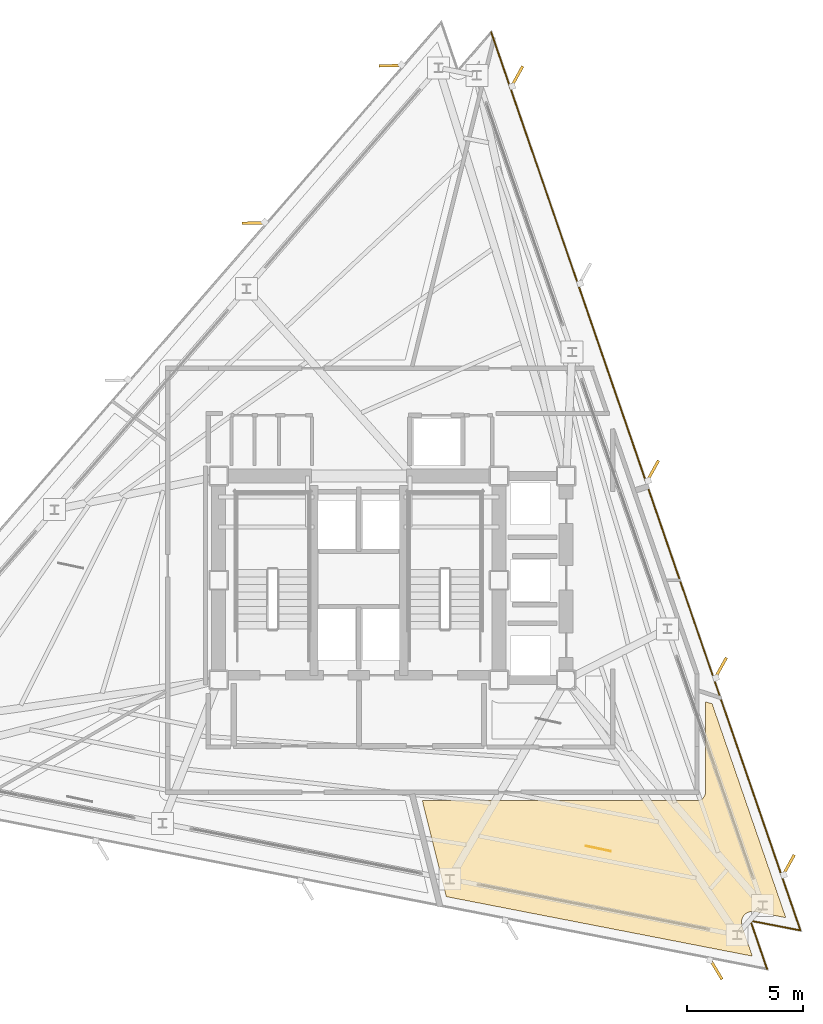
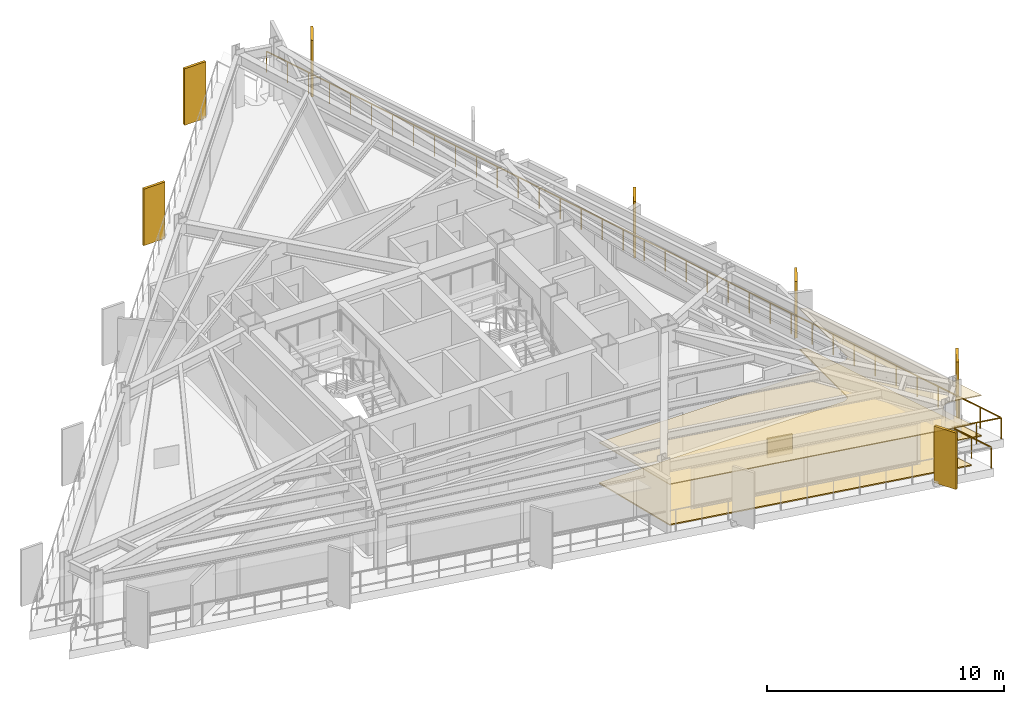
# One storey, part 13 of 13: 7 shading devices, 3 coverings, 1 railing.
"""IFC4 building model written with IfcOpenShell, lengths in metres."""

from ifc_helpers import new_model, si_unit, direction, frame, origin, origin_2d, place, context, subcontext, project, spatial, polyline, rectangle, outline, extrude, material, layer, layer_set, type_object, element, save


model = new_model("IFC4")

# Units and contexts
model_context = context("Model", 3, precision=1e-05, world=origin(), true_north=direction((0.0, 1.0)))
body_context = subcontext(model_context, "Body", "Model", "MODEL_VIEW")
ifc_project = project(units=[si_unit("LENGTHUNIT", "METRE"), si_unit("AREAUNIT", "SQUARE_METRE"), si_unit("VOLUMEUNIT", "CUBIC_METRE"), si_unit("PLANEANGLEUNIT", "RADIAN"), si_unit("MASSUNIT", "GRAM", prefix="KILO")], contexts=[model_context])

# Site, building, storey
site_placement = place(None, origin())
site = spatial("IfcSite", under=ifc_project, at=site_placement, CompositionType="ELEMENT")
building_placement = place(site_placement, origin())
building = spatial("IfcBuilding", under=site, at=building_placement, Name="Rocaltana Carrier Exchange", CompositionType="ELEMENT")
storey_placement = place(building_placement, frame((0.0, 0.0, 147.199951171875)))
storey = spatial("IfcBuildingStorey", under=building, at=storey_placement, Name="L46", CompositionType="ELEMENT", Elevation=147.199951171875)

# Coverings
ifc_material_1 = material(Name="Calcium Sulphate & Aluminium Pedestal", Category="aluminium")
ifc_layer_1 = layer(ifc_material_1, 0.06005859375)
ifc_layer_set_1 = layer_set([ifc_layer_1], Name="Calcium Sulphate & Aluminium Pedestal")
covering_type_1 = type_object("IfcCoveringType", Name="Anti-Static Raised Exchange Access Floor 60", PredefinedType="FLOORING", material=ifc_layer_set_1)
covering_1_placement = place(storey_placement, origin())
element("IfcCovering", 1, at=covering_1_placement, inside=storey, type_object=covering_type_1, Name="L46 Cloud Architecture Office Finish Floor", PredefinedType="FLOORING", context=body_context, shape_type="SweptSolid", body=[
    extrude(outline(polyline([(18.4287109375, -14.562255859375), (17.085205078125, -14.301025390625), (17.0712890625, -14.298828125), (17.051513671875, -14.2958984375), (17.023681640625, -14.29345703125), (17.00390625, -14.29248046875), (16.975830078125, -14.292724609375), (16.9560546875, -14.2939453125), (16.92822265625, -14.296875), (16.90869140625, -14.300048828125), (16.88134765625, -14.305908203125), (16.862060546875, -14.310791015625), (16.83544921875, -14.319091796875), (16.816650390625, -14.326171875), (16.791015625, -14.337158203125), (16.773193359375, -14.345947265625), (16.748779296875, -14.359619140625), (16.731689453125, -14.3701171875), (16.708984375, -14.385986328125), (16.693115234375, -14.398193359375), (16.671875, -14.416259765625), (16.6572265625, -14.429931640625), (16.637939453125, -14.449951171875), (16.625, -14.465087890625), (16.607666015625, -14.487060546875), (16.59619140625, -14.50341796875), (16.581298828125, -14.52685546875), (16.5712890625, -14.544189453125), (16.558837890625, -14.569091796875), (16.55078125, -14.58740234375), (16.540771484375, -14.613525390625), (16.534423828125, -14.63232421875), (16.527099609375, -14.6591796875), (16.522705078125, -14.6787109375), (16.518310546875, -14.706298828125), (16.515869140625, -14.72607421875), (16.513916015625, -14.75390625), (16.513671875, -14.77392578125), (16.5146484375, -14.8017578125), (16.51611328125, -14.82177734375), (16.52001953125, -14.849365234375), (16.5234375, -14.868896484375), (16.52978515625, -14.89599609375), (16.535400390625, -14.915283203125), (16.539794921875, -14.9287109375), (16.9853515625, -16.22265625), (3.775634765625, -13.65478515625), (2.7421875, -9.510009765625), (14.60009765625, -9.510009765625), (14.61376953125, -9.509765625), (14.62158203125, -9.50927734375), (14.64892578125, -9.506591796875), (14.65673828125, -9.50537109375), (14.68359375, -9.5), (14.69140625, -9.498291015625), (14.717529296875, -9.490234375), (14.724853515625, -9.487548828125), (14.750244140625, -9.47705078125), (14.75732421875, -9.4736328125), (14.78173828125, -9.460693359375), (14.788330078125, -9.456787109375), (14.811279296875, -9.44140625), (14.8173828125, -9.436767578125), (14.8388671875, -9.419189453125), (14.844482421875, -9.4140625), (14.864013671875, -9.39453125), (14.869384765625, -9.388916015625), (14.88671875, -9.367431640625), (14.891357421875, -9.361083984375), (14.90673828125, -9.33837890625), (14.91064453125, -9.331787109375), (14.923583984375, -9.307373046875), (14.927001953125, -9.30029296875), (14.9375, -9.27490234375), (14.940185546875, -9.267578125), (14.9482421875, -9.2412109375), (14.9501953125, -9.233642578125), (14.955322265625, -9.206787109375), (14.95654296875, -9.198974609375), (14.959228515625, -9.171630859375), (14.959716796875, -9.163818359375), (14.9599609375, -9.14990234375), (14.9599609375, -5.2392578125), (15.2509765625, -5.333984375), (18.4287109375, -14.562255859375)])), origin(), (0.0, 0.0, 1.0), 0.06005859375),
])
ifc_material_2 = material(Name="Mineral Fibre & Powder-Coated Aluminium", Category="aluminium")
ifc_layer_2 = layer(ifc_material_2, 0.044921875)
ifc_layer_set_2 = layer_set([ifc_layer_2], Name="Mineral Fibre & Powder-Coated Aluminium")
covering_type_2 = type_object("IfcCoveringType", Name="Micro-Perforated Acoustic Ceiling 45", PredefinedType="CEILING", material=ifc_layer_set_2)
covering_2_placement = place(storey_placement, frame((0.0, 0.0, 2.093017578125)))
element("IfcCovering", 2, at=covering_2_placement, inside=storey, type_object=covering_type_2, Name="L46 Cloud Architecture Office Acoustic Ceiling", PredefinedType="CEILING", context=body_context, shape_type="SweptSolid", body=[
    extrude(outline(polyline([(18.4287109375, -14.562255859375), (17.085205078125, -14.301025390625), (17.0712890625, -14.298828125), (17.051513671875, -14.2958984375), (17.023681640625, -14.29345703125), (17.00390625, -14.29248046875), (16.975830078125, -14.292724609375), (16.9560546875, -14.2939453125), (16.92822265625, -14.296875), (16.90869140625, -14.300048828125), (16.88134765625, -14.305908203125), (16.862060546875, -14.310791015625), (16.83544921875, -14.319091796875), (16.816650390625, -14.326171875), (16.791015625, -14.337158203125), (16.773193359375, -14.345947265625), (16.748779296875, -14.359619140625), (16.731689453125, -14.3701171875), (16.708984375, -14.385986328125), (16.693115234375, -14.398193359375), (16.671875, -14.416259765625), (16.6572265625, -14.429931640625), (16.637939453125, -14.449951171875), (16.625, -14.465087890625), (16.607666015625, -14.487060546875), (16.59619140625, -14.50341796875), (16.581298828125, -14.52685546875), (16.5712890625, -14.544189453125), (16.558837890625, -14.569091796875), (16.55078125, -14.58740234375), (16.540771484375, -14.613525390625), (16.534423828125, -14.63232421875), (16.527099609375, -14.6591796875), (16.522705078125, -14.6787109375), (16.518310546875, -14.706298828125), (16.515869140625, -14.72607421875), (16.513916015625, -14.75390625), (16.513671875, -14.77392578125), (16.5146484375, -14.8017578125), (16.51611328125, -14.82177734375), (16.52001953125, -14.849365234375), (16.5234375, -14.868896484375), (16.52978515625, -14.89599609375), (16.535400390625, -14.915283203125), (16.539794921875, -14.9287109375), (16.9853515625, -16.22265625), (3.775634765625, -13.65478515625), (2.7421875, -9.510009765625), (14.60009765625, -9.510009765625), (14.61376953125, -9.509765625), (14.62158203125, -9.50927734375), (14.64892578125, -9.506591796875), (14.65673828125, -9.50537109375), (14.68359375, -9.5), (14.69140625, -9.498291015625), (14.717529296875, -9.490234375), (14.724853515625, -9.487548828125), (14.750244140625, -9.47705078125), (14.75732421875, -9.4736328125), (14.78173828125, -9.460693359375), (14.788330078125, -9.456787109375), (14.811279296875, -9.44140625), (14.8173828125, -9.436767578125), (14.8388671875, -9.419189453125), (14.844482421875, -9.4140625), (14.864013671875, -9.39453125), (14.869384765625, -9.388916015625), (14.88671875, -9.367431640625), (14.891357421875, -9.361083984375), (14.90673828125, -9.33837890625), (14.91064453125, -9.331787109375), (14.923583984375, -9.307373046875), (14.927001953125, -9.30029296875), (14.9375, -9.27490234375), (14.940185546875, -9.267578125), (14.9482421875, -9.2412109375), (14.9501953125, -9.233642578125), (14.955322265625, -9.206787109375), (14.95654296875, -9.198974609375), (14.959228515625, -9.171630859375), (14.959716796875, -9.163818359375), (14.9599609375, -9.14990234375), (14.9599609375, -5.2392578125), (15.2509765625, -5.333984375), (18.4287109375, -14.562255859375)])), origin(), (0.0, 0.0, 1.0), 0.044921875),
])
ifc_material_3 = material(Name="Honed Piedra Muneca Sandstone", Category="masonry")
ifc_layer_3 = layer(ifc_material_3, 0.034912109375)
ifc_layer_set_3 = layer_set([ifc_layer_3], Name="Honed Piedra Muneca Sandstone")
covering_type_3 = type_object("IfcCoveringType", Name="Stone Facade Cladding 35", PredefinedType="CLADDING", material=ifc_layer_set_3)
covering_3_placement = place(storey_placement, frame((10.330810546875, -11.58251953125, 0.0), z_axis=(0.0, 0.0, 1.0), x_axis=(-0.978147600734, 0.207911690818, 0.0)))
element("IfcCovering", 3, at=covering_3_placement, inside=storey, type_object=covering_type_3, Name="L46 Stone Facade Cladding Panel 3", PredefinedType="CLADDING", context=body_context, shape_type="SweptSolid", body=[
    extrude(rectangle(XDim=1.10009765625, YDim=0.034912109375, at=origin_2d()), origin(), (0.0, 0.0, 1.0), 1.050048828125),
])

# Shading devices
ifc_material_4 = material(Name="Honed Bogota Sandstone & Concrete C45/55", Category="masonry")
ifc_layer_4 = layer(ifc_material_4, 0.1201171875)
ifc_layer_set_4 = layer_set([ifc_layer_4], Name="Honed Bogota Sandstone & Concrete C45/55")
shading_device_type = type_object("IfcShadingDeviceType", Name="Upper Sandstone Shading Fin 1050x120", PredefinedType="USERDEFINED", material=ifc_layer_set_4)
for number, where, z_axis, x_axis, name in (
    (4, (18.541748046875, -12.3095703125, -0.1201171875), (0.0, 0.0, 1.0), (0.484809620246, 0.874619707139, 0.0), "L46 Sandstone Vertical Fin F1-01"),
    (5, (15.61181640625, -3.7998046875, -0.1201171875), (0.0, 0.0, 1.0), (0.484809620246, 0.874619707139, 0.0), "L46 Sandstone Vertical Fin F1-02"),
    (6, (12.681396484375, 4.709716796875, -0.1201171875), (0.0, 0.0, 1.0), (0.484809620246, 0.874619707139, 0.0), "L46 Sandstone Vertical Fin F1-03"),
    (7, (6.8212890625, 21.729248046875, -0.1201171875), (0.0, 0.0, 1.0), (0.484809620246, 0.874619707139, 0.0), "L46 Sandstone Vertical Fin F1-05"),
    (8, (1.389404296875, 22.21240234375, -0.1201171875), (0.0, 0.0, 1.0), (-0.999847695156, -0.017452406437, 0.0), "L46 Sandstone Vertical Fin F2-01"),
    (9, (-4.51513671875, 15.419921875, -0.1201171875), (0.0, 0.0, 1.0), (-0.999847695156, -0.017452406437, 0.0), "L46 Sandstone Vertical Fin F2-02"),
    (10, (15.407470703125, -16.77197265625, -0.1201171875), (0.0, 0.0, 1.0), (0.51503807491, -0.857167300702, 0.0), "L46 Sandstone Vertical Fin F3-05"),
):
    element("IfcShadingDevice", number, at=place(storey_placement, frame(where, z_axis=z_axis, x_axis=x_axis)), inside=storey, type_object=shading_device_type, Name=name, ObjectType="FIN", PredefinedType="USERDEFINED", context=body_context, shape_type="SweptSolid", body=[
        extrude(rectangle(XDim=1.050048828125, YDim=0.1201171875, at=origin_2d()), origin(), (0.0, 0.0, 1.0), 2.907958984375),
    ])

# Railing
ifc_material_5 = material(Name="Powder-Coated Aluminium 6063-T6", Category="aluminium")
ifc_layer_5 = layer(ifc_material_5, 0.06005859375)
ifc_layer_set_5 = layer_set([ifc_layer_5], Name="Powder-Coated Aluminium 6063-T6")
railing_type = type_object("IfcRailingType", Name="Wind-Floor & Terrace Perimeter Guardrail 1100", PredefinedType="GUARDRAIL", material=ifc_layer_set_5)
railing_placement = place(storey_placement, frame((5.716796875, 23.6455078125, 0.0)))
element("IfcRailing", 11, at=railing_placement, inside=storey, type_object=railing_type, Name="L46 Perimeter Balcony Guardrail 3", PredefinedType="GUARDRAIL", context=body_context, shape_type="SweptSolid", body=[
    extrude(rectangle(XDim=0.048095703125, YDim=0.048095703125, at=origin_2d()), frame((0.0, 0.0, 1.076171875), z_axis=(0.325567757379, -0.945518712324, 0.0), x_axis=(0.945518712324, 0.325567757379, 0.0)), (0.0, 0.0, 1.0), 40.9921875),
    extrude(rectangle(XDim=0.048095703125, YDim=0.048095703125, at=origin_2d()), frame((13.345703125, -38.7587890625, 1.076171875), z_axis=(-0.981637329589, 0.190756790591, 0.0), x_axis=(-0.190756790591, -0.981637329589, 0.0)), (0.0, 0.0, 1.0), 2.199951171875),
    extrude(rectangle(XDim=0.048095703125, YDim=0.048095703125, at=origin_2d()), frame((11.18603515625, -38.339111328125, 1.076171875), z_axis=(0.325600768791, -0.945507344955, 0.0), x_axis=(0.945507344955, 0.325600768791, 0.0)), (0.0, 0.0, 1.0), 2.199951171875),
    extrude(rectangle(XDim=0.0419921875, YDim=0.0419921875, at=origin_2d()), origin(), (0.0, 0.0, 1.0), 1.052001953125),
    extrude(rectangle(XDim=0.0419921875, YDim=0.0419921875, at=origin_2d()), frame((0.38134765625, -1.107421875, 0.0)), (0.0, 0.0, 1.0), 1.052001953125),
    extrude(rectangle(XDim=0.0419921875, YDim=0.0419921875, at=origin_2d()), frame((0.7626953125, -2.21484375, 0.0)), (0.0, 0.0, 1.0), 1.052001953125),
    extrude(rectangle(XDim=0.0419921875, YDim=0.0419921875, at=origin_2d()), frame((1.143798828125, -3.322265625, 0.0)), (0.0, 0.0, 1.0), 1.052001953125),
    extrude(rectangle(XDim=0.0419921875, YDim=0.0419921875, at=origin_2d()), frame((1.525146484375, -4.4296875, 0.0)), (0.0, 0.0, 1.0), 1.052001953125),
    extrude(rectangle(XDim=0.0419921875, YDim=0.0419921875, at=origin_2d()), frame((1.906494140625, -5.536865234375, 0.0)), (0.0, 0.0, 1.0), 1.052001953125),
    extrude(rectangle(XDim=0.0419921875, YDim=0.0419921875, at=origin_2d()), frame((2.287841796875, -6.644287109375, 0.0)), (0.0, 0.0, 1.0), 1.052001953125),
    extrude(rectangle(XDim=0.0419921875, YDim=0.0419921875, at=origin_2d()), frame((2.669189453125, -7.751708984375, 0.0)), (0.0, 0.0, 1.0), 1.052001953125),
    extrude(rectangle(XDim=0.0419921875, YDim=0.0419921875, at=origin_2d()), frame((3.050537109375, -8.859130859375, 0.0)), (0.0, 0.0, 1.0), 1.052001953125),
    extrude(rectangle(XDim=0.0419921875, YDim=0.0419921875, at=origin_2d()), frame((3.431640625, -9.966552734375, 0.0)), (0.0, 0.0, 1.0), 1.052001953125),
    extrude(rectangle(XDim=0.0419921875, YDim=0.0419921875, at=origin_2d()), frame((3.81298828125, -11.073974609375, 0.0)), (0.0, 0.0, 1.0), 1.052001953125),
    extrude(rectangle(XDim=0.0419921875, YDim=0.0419921875, at=origin_2d()), frame((4.1943359375, -12.181396484375, 0.0)), (0.0, 0.0, 1.0), 1.052001953125),
    extrude(rectangle(XDim=0.0419921875, YDim=0.0419921875, at=origin_2d()), frame((4.57568359375, -13.288818359375, 0.0)), (0.0, 0.0, 1.0), 1.052001953125),
    extrude(rectangle(XDim=0.0419921875, YDim=0.0419921875, at=origin_2d()), frame((4.95703125, -14.396240234375, 0.0)), (0.0, 0.0, 1.0), 1.052001953125),
    extrude(rectangle(XDim=0.0419921875, YDim=0.0419921875, at=origin_2d()), frame((5.33837890625, -15.50341796875, 0.0)), (0.0, 0.0, 1.0), 1.052001953125),
    extrude(rectangle(XDim=0.0419921875, YDim=0.0419921875, at=origin_2d()), frame((5.719482421875, -16.61083984375, 0.0)), (0.0, 0.0, 1.0), 1.052001953125),
    extrude(rectangle(XDim=0.0419921875, YDim=0.0419921875, at=origin_2d()), frame((6.100830078125, -17.71826171875, 0.0)), (0.0, 0.0, 1.0), 1.052001953125),
    extrude(rectangle(XDim=0.0419921875, YDim=0.0419921875, at=origin_2d()), frame((6.482177734375, -18.82568359375, 0.0)), (0.0, 0.0, 1.0), 1.052001953125),
    extrude(rectangle(XDim=0.0419921875, YDim=0.0419921875, at=origin_2d()), frame((6.863525390625, -19.93310546875, 0.0)), (0.0, 0.0, 1.0), 1.052001953125),
    extrude(rectangle(XDim=0.0419921875, YDim=0.0419921875, at=origin_2d()), frame((7.244873046875, -21.04052734375, 0.0)), (0.0, 0.0, 1.0), 1.052001953125),
    extrude(rectangle(XDim=0.0419921875, YDim=0.0419921875, at=origin_2d()), frame((7.626220703125, -22.14794921875, 0.0)), (0.0, 0.0, 1.0), 1.052001953125),
    extrude(rectangle(XDim=0.0419921875, YDim=0.0419921875, at=origin_2d()), frame((8.00732421875, -23.25537109375, 0.0)), (0.0, 0.0, 1.0), 1.052001953125),
    extrude(rectangle(XDim=0.0419921875, YDim=0.0419921875, at=origin_2d()), frame((8.388671875, -24.362548828125, 0.0)), (0.0, 0.0, 1.0), 1.052001953125),
    extrude(rectangle(XDim=0.0419921875, YDim=0.0419921875, at=origin_2d()), frame((8.77001953125, -25.469970703125, 0.0)), (0.0, 0.0, 1.0), 1.052001953125),
    extrude(rectangle(XDim=0.0419921875, YDim=0.0419921875, at=origin_2d()), frame((9.1513671875, -26.577392578125, 0.0)), (0.0, 0.0, 1.0), 1.052001953125),
    extrude(rectangle(XDim=0.0419921875, YDim=0.0419921875, at=origin_2d()), frame((9.53271484375, -27.684814453125, 0.0)), (0.0, 0.0, 1.0), 1.052001953125),
    extrude(rectangle(XDim=0.0419921875, YDim=0.0419921875, at=origin_2d()), frame((9.9140625, -28.792236328125, 0.0)), (0.0, 0.0, 1.0), 1.052001953125),
    extrude(rectangle(XDim=0.0419921875, YDim=0.0419921875, at=origin_2d()), frame((10.295166015625, -29.899658203125, 0.0)), (0.0, 0.0, 1.0), 1.052001953125),
    extrude(rectangle(XDim=0.0419921875, YDim=0.0419921875, at=origin_2d()), frame((10.676513671875, -31.007080078125, 0.0)), (0.0, 0.0, 1.0), 1.052001953125),
    extrude(rectangle(XDim=0.0419921875, YDim=0.0419921875, at=origin_2d()), frame((11.057861328125, -32.114501953125, 0.0)), (0.0, 0.0, 1.0), 1.052001953125),
    extrude(rectangle(XDim=0.0419921875, YDim=0.0419921875, at=origin_2d()), frame((11.439208984375, -33.221923828125, 0.0)), (0.0, 0.0, 1.0), 1.052001953125),
    extrude(rectangle(XDim=0.0419921875, YDim=0.0419921875, at=origin_2d()), frame((11.820556640625, -34.3291015625, 0.0)), (0.0, 0.0, 1.0), 1.052001953125),
    extrude(rectangle(XDim=0.0419921875, YDim=0.0419921875, at=origin_2d()), frame((12.201904296875, -35.4365234375, 0.0)), (0.0, 0.0, 1.0), 1.052001953125),
    extrude(rectangle(XDim=0.0419921875, YDim=0.0419921875, at=origin_2d()), frame((12.5830078125, -36.5439453125, 0.0)), (0.0, 0.0, 1.0), 1.052001953125),
    extrude(rectangle(XDim=0.0419921875, YDim=0.0419921875, at=origin_2d()), frame((12.96435546875, -37.6513671875, 0.0)), (0.0, 0.0, 1.0), 1.052001953125),
    extrude(rectangle(XDim=0.0419921875, YDim=0.0419921875, at=origin_2d()), frame((13.345703125, -38.7587890625, 0.0)), (0.0, 0.0, 1.0), 1.052001953125),
    extrude(rectangle(XDim=0.0419921875, YDim=0.0419921875, at=origin_2d()), frame((12.265869140625, -38.548828125, 0.0)), (0.0, 0.0, 1.0), 1.052001953125),
    extrude(rectangle(XDim=0.0419921875, YDim=0.0419921875, at=origin_2d()), frame((11.18603515625, -38.339111328125, 0.0)), (0.0, 0.0, 1.0), 1.052001953125),
    extrude(rectangle(XDim=0.0419921875, YDim=0.0419921875, at=origin_2d()), frame((11.544189453125, -39.379150390625, 0.0)), (0.0, 0.0, 1.0), 1.052001953125),
    extrude(rectangle(XDim=0.0419921875, YDim=0.0419921875, at=origin_2d()), frame((11.90234375, -40.419189453125, 0.0)), (0.0, 0.0, 1.0), 1.052001953125),
])

save(model, "model.ifc")
